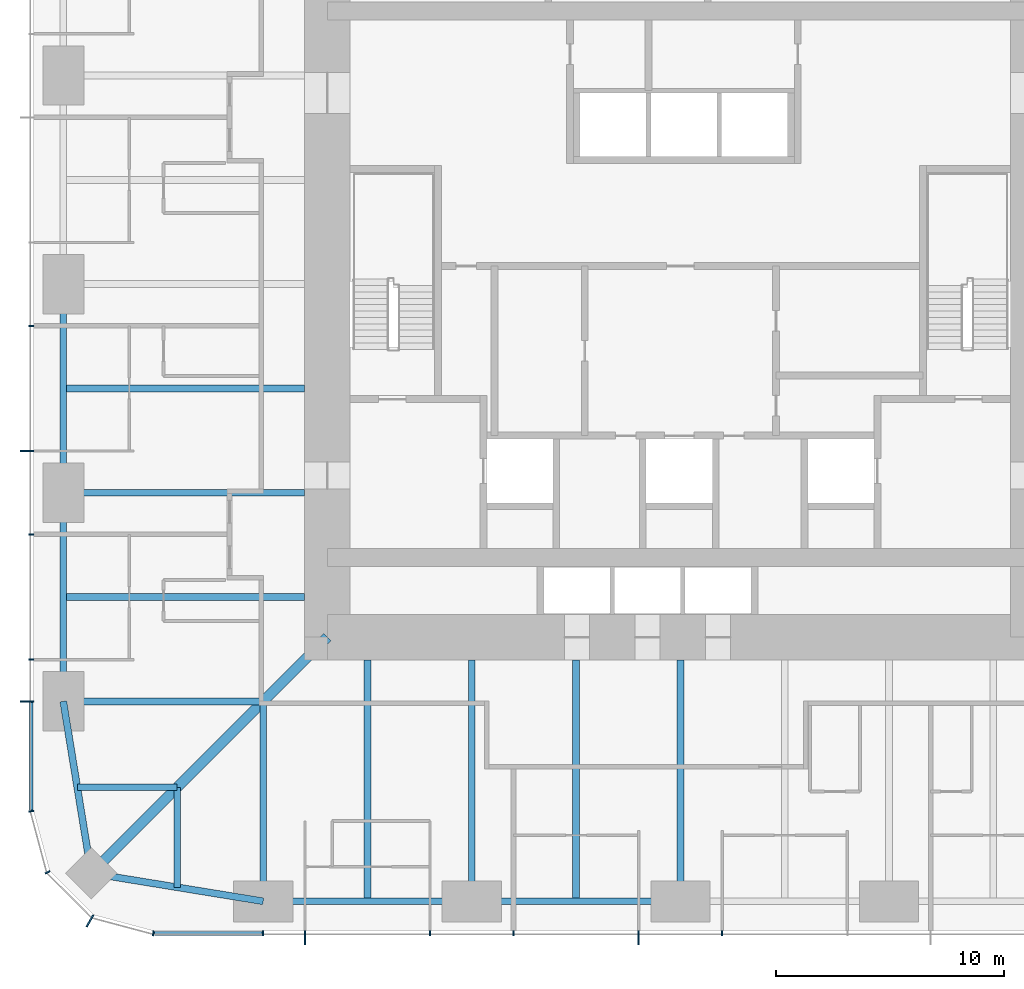
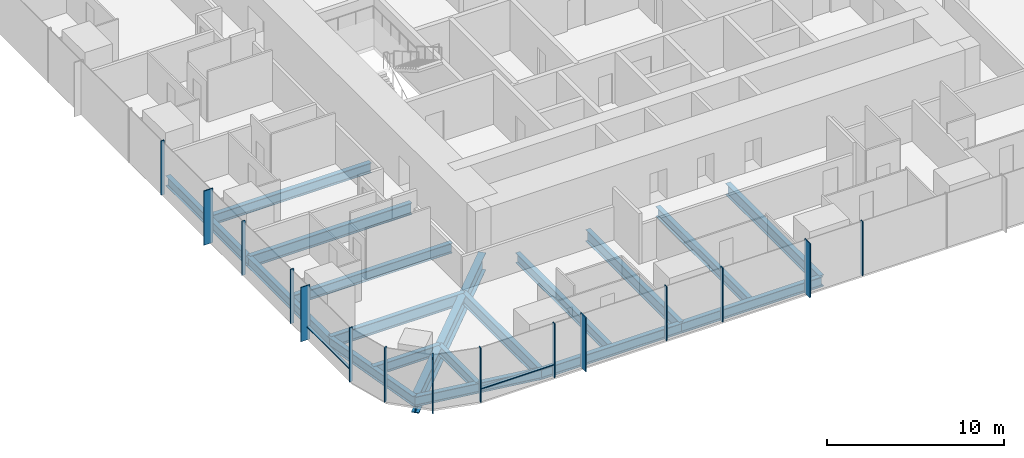
# One storey, part 2 of 13: 18 beams, 17 members, 3 elements without a shape of their own.
"""IFC4 building model written with IfcOpenShell, lengths in metres."""

import ifcopenshell
import ifcopenshell.guid

model = None  # the IFC model being written
_history = None  # IfcOwnerHistory: only IFC2X3 demands one
_inside = {}  # id of a spatial element -> (the spatial element, [elements in it])
_under = {}  # id of a project, library or spatial element -> (it, [spatial elements below it])
_declared = {}  # id of a project -> (the project, [libraries it declares])
_typed = {}  # id of a type object -> (the type object, [elements of that type])
_made_of = {}  # id of a material, layer set ... -> (it, [elements and type objects made of it])


def new_model(schema):
    """Start an empty IFC model of exactly this schema.

    Asked for "IFC4X3", IfcOpenShell would pick the latest addendum, in which some entities
    have other attributes; the version numbers below select the first issue.
    IFC2X3 requires an IfcOwnerHistory on every rooted entity: one is made here for all.
    """
    global model, _history
    if schema == "IFC4X3":
        model = ifcopenshell.file(schema_version=(4, 3, 0, 0))
    else:
        model = ifcopenshell.file(schema=schema)
    _inside.clear()
    _under.clear()
    _declared.clear()
    _typed.clear()
    _made_of.clear()
    _history = None
    if model.schema == "IFC2X3":
        org = make("IfcOrganization", Name="unknown")
        user = make(
            "IfcPersonAndOrganization",
            ThePerson=make("IfcPerson", FamilyName="unknown"),
            TheOrganization=org,
        )
        app = make(
            "IfcApplication",
            ApplicationDeveloper=org,
            Version="unknown",
            ApplicationFullName="unknown",
            ApplicationIdentifier="unknown",
        )
        _history = make(
            "IfcOwnerHistory",
            OwningUser=user,
            OwningApplication=app,
            ChangeAction="ADDED",
            CreationDate=0,
        )
    return model


def make(cls, **values):
    """One entity of the class cls with the attributes given. An attribute that is None is left unset."""
    return model.create_entity(
        cls, **{name: value for name, value in values.items() if value is not None}
    )


def rooted(cls, **values):
    """An entity with a GlobalId (a new one), such as an element, a storey or a relation."""
    return make(cls, GlobalId=ifcopenshell.guid.new(), OwnerHistory=_history, **values)


def si_unit(unit_type, name, prefix=None):
    """IfcSIUnit, for example si_unit("LENGTHUNIT", "METRE", prefix="MILLI")."""
    return make("IfcSIUnit", UnitType=unit_type, Prefix=prefix, Name=name)


def assignment(units):
    """IfcUnitAssignment: the units of a project."""
    return None if units is None else make("IfcUnitAssignment", Units=units)


def point(xyz):
    """IfcCartesianPoint."""
    return None if xyz is None else make("IfcCartesianPoint", Coordinates=xyz)


def direction(xyz):
    """IfcDirection."""
    return None if xyz is None else make("IfcDirection", DirectionRatios=xyz)


def frame(location, z_axis=None, x_axis=None):
    """IfcAxis2Placement3D, a coordinate frame: its origin and axes. An axis left out is left unset."""
    return make(
        "IfcAxis2Placement3D",
        Location=point(location),
        Axis=direction(z_axis),
        RefDirection=direction(x_axis),
    )


def frame_2d(location, x_axis=None):
    """IfcAxis2Placement2D, a coordinate frame in the plane: its origin and x axis."""
    return make(
        "IfcAxis2Placement2D", Location=point(location), RefDirection=direction(x_axis)
    )


def origin():
    """The frame at (0, 0, 0) with its axes left unset."""
    return frame((0.0, 0.0, 0.0))


def origin_2d():
    """The frame at (0, 0) in the plane with its x axis left unset."""
    return frame_2d((0.0, 0.0))


def place(relative_to, where):
    """IfcLocalPlacement: puts the frame where relative to a parent placement (None: the world)."""
    return make(
        "IfcLocalPlacement", PlacementRelTo=relative_to, RelativePlacement=where
    )


def context(
    kind, dimensions, precision=None, world=None, true_north=None, identifier=None
):
    """IfcGeometricRepresentationContext, for example the 3D "Model" context."""
    return make(
        "IfcGeometricRepresentationContext",
        ContextIdentifier=identifier,
        ContextType=kind,
        CoordinateSpaceDimension=dimensions,
        Precision=precision,
        WorldCoordinateSystem=world,
        TrueNorth=true_north,
    )


def subcontext(parent, identifier, kind, view, scale=None):
    """IfcGeometricRepresentationSubContext, for example "Body" below "Model"."""
    return make(
        "IfcGeometricRepresentationSubContext",
        ContextIdentifier=identifier,
        ContextType=kind,
        ParentContext=parent,
        TargetScale=scale,
        TargetView=view,
    )


def project(units=None, contexts=None):
    """IfcProject with its units and contexts."""
    return rooted(
        "IfcProject",
        Name="project",
        RepresentationContexts=contexts,
        UnitsInContext=assignment(units),
    )


def spatial(cls, under=None, at=None, **own):
    """A site, building, storey or space (cls), placed at a placement, below another one or the project."""
    s = rooted(cls, ObjectPlacement=at, **own)
    if under is not None:
        _under.setdefault(under.id(), (under, []))[1].append(s)
    return s


def profile(cls, at=None, kind="AREA", **sizes):
    """A parametric profile (cls). Its sizes go by their IFC names, for example OverallWidth=200.0."""
    return make(cls, ProfileType=kind, Position=at, **sizes)


def rectangle(**sizes):
    """IfcRectangleProfileDef."""
    return profile("IfcRectangleProfileDef", **sizes)


def i_section(**sizes):
    """IfcIShapeProfileDef."""
    return profile("IfcIShapeProfileDef", **sizes)


def extrude(swept, where, along, depth):
    """IfcExtrudedAreaSolid: the profile swept, set in the frame where, extruded along a direction by depth."""
    return make(
        "IfcExtrudedAreaSolid",
        SweptArea=swept,
        Position=where,
        ExtrudedDirection=direction(along),
        Depth=depth,
    )


def shape(context_of_items, identifier, shape_type, items):
    """IfcShapeRepresentation: the items that make up one representation, for example the "Body"."""
    return make(
        "IfcShapeRepresentation",
        ContextOfItems=context_of_items,
        RepresentationIdentifier=identifier,
        RepresentationType=shape_type,
        Items=items,
    )


def material(Name=None, Category=None):
    """IfcMaterial."""
    return make("IfcMaterial", Name=Name, Category=Category)


def material_profile(
    of_material, cross_section, Name=None, Category=None, Priority=None
):
    """IfcMaterialProfile: a cross section and its material."""
    return make(
        "IfcMaterialProfile",
        Name=Name,
        Material=of_material,
        Profile=cross_section,
        Priority=Priority,
        Category=Category,
    )


def profile_set(profiles, Name=None, composite=None):
    """IfcMaterialProfileSet."""
    return make(
        "IfcMaterialProfileSet",
        Name=Name,
        MaterialProfiles=profiles,
        CompositeProfile=composite,
    )


def made_of(thing, what):
    """Note that an element or type object is made of a material, layer set ...; save() writes the relation."""
    if what is not None:
        _made_of.setdefault(what.id(), (what, []))[1].append(thing)
    return thing


def type_object(cls, material=None, **own):
    """A type object (cls), such as IfcWallType, which elements share."""
    return made_of(rooted(cls, **own), material)


def element(
    cls,
    number,
    at=None,
    inside=None,
    cuts=None,
    type_object=None,
    material=None,
    context=None,
    identifier="Body",
    shape_type=None,
    held_by="IfcProductDefinitionShape",
    body=None,
    shapes=None,
    **own,
):
    """One element of the class cls, such as IfcWall. Its Tag is "e" and its number.

    at: its placement. inside: the storey or other place that contains it. cuts: it is an
    opening in that element (IfcRelVoidsElement). A single representation is given by context,
    identifier, shape_type and body (its items); several are given by shapes. held_by: the class
    of the entity that holds the representations. save() writes the other relations.
    """
    e = rooted(cls, Tag="e%d" % number, ObjectPlacement=at, **own)
    if body is not None:
        shapes = [shape(context, identifier, shape_type, body)]
    if shapes is not None:
        e.Representation = make(held_by, Representations=shapes)
    if inside is not None:
        _inside.setdefault(inside.id(), (inside, []))[1].append(e)
    if cuts is not None:
        rooted(
            "IfcRelVoidsElement", RelatingBuildingElement=cuts, RelatedOpeningElement=e
        )
    if type_object is not None:
        _typed.setdefault(type_object.id(), (type_object, []))[1].append(e)
    return made_of(e, material)


def aggregate(whole, parts):
    """IfcRelAggregates: a whole, such as a stair, and the parts it consists of."""
    return rooted("IfcRelAggregates", RelatingObject=whole, RelatedObjects=parts)


def save(model, path):
    """Write the relations noted so far, then the file.

    IfcRelAggregates (storeys below a building ...), IfcRelContainedInSpatialStructure (elements
    in a storey), IfcRelDefinesByType, IfcRelAssociatesMaterial and IfcRelDeclares: one each for
    every whole, place, type object, material and project.
    """
    for whole, parts in _under.values():
        aggregate(whole, parts)
    for where, things in _inside.values():
        rooted(
            "IfcRelContainedInSpatialStructure",
            RelatedElements=things,
            RelatingStructure=where,
        )
    for kind, things in _typed.values():
        rooted("IfcRelDefinesByType", RelatedObjects=things, RelatingType=kind)
    for what, things in _made_of.values():
        rooted("IfcRelAssociatesMaterial", RelatedObjects=things, RelatingMaterial=what)
    for by, libraries in _declared.values():
        rooted("IfcRelDeclares", RelatingContext=by, RelatedDefinitions=libraries)
    model.write(path)


model = new_model("IFC4")

# Units and contexts
model_context = context("Model", 3, precision=1e-05, world=origin(), true_north=direction((0.0, 1.0)))
body_context = subcontext(model_context, "Body", "Model", "MODEL_VIEW")
ifc_project = project(units=[si_unit("LENGTHUNIT", "METRE"), si_unit("AREAUNIT", "SQUARE_METRE"), si_unit("VOLUMEUNIT", "CUBIC_METRE"), si_unit("PLANEANGLEUNIT", "RADIAN"), si_unit("MASSUNIT", "GRAM", prefix="KILO")], contexts=[model_context])

# Site, building, storey
site_placement = place(None, origin())
site = spatial("IfcSite", under=ifc_project, at=site_placement, CompositionType="ELEMENT")
building_placement = place(site_placement, origin())
building = spatial("IfcBuilding", under=site, at=building_placement, Name="Khuree Lantern Residences", CompositionType="ELEMENT")
storey_placement = place(building_placement, frame((0.0, 0.0, 159.75)))
storey = spatial("IfcBuildingStorey", under=building, at=storey_placement, Name="L40", CompositionType="ELEMENT", Elevation=159.75)

# Beams
ifc_material_1 = material(Name="Steel S355", Category="steel")
ifc_material_profile_1 = material_profile(ifc_material_1, i_section(OverallWidth=0.300048828125, OverallDepth=0.68994140625, WebThickness=0.014404296875, FlangeThickness=0.027099609375, FilletRadius=0.027099609375, at=origin_2d()), Name="HE 700 A")
ifc_profile_set_1 = profile_set([ifc_material_profile_1], Name="Steel S355")
beam_type_1 = type_object("IfcBeamType", Name="B-24 SECONDARY BEAM HE 700 A", PredefinedType="BEAM", material=ifc_profile_set_1)
for number, where, z_axis, x_axis, name in (
    (1, (-4.580078125, -27.10009765625, -0.594970703125), (0.0, 1.0, 0.0), (-1.0, 0.0, 0.0), "Secondary beam S4"),
    (2, (-13.739990234375, -27.10009765625, -0.594970703125), (0.0, 1.0, 0.0), (-1.0, 0.0, 0.0), "Secondary beam S5"),
):
    element("IfcBeam", number, at=place(storey_placement, frame(where, z_axis=z_axis, x_axis=x_axis)), inside=storey, type_object=beam_type_1, Name=name, PredefinedType="BEAM", context=body_context, shape_type="SweptSolid", body=[
        extrude(i_section(OverallWidth=0.300048828125, OverallDepth=0.68994140625, WebThickness=0.014404296875, FlangeThickness=0.027099609375, FilletRadius=0.027099609375, at=origin_2d()), origin(), (0.0, 0.0, 1.0), 10.60009765625),
    ])
for number, where, z_axis, x_axis, name in (
    (3, (-22.094970703125, -26.48486328125, -0.594970703125), (0.0, 1.0, 0.0), (-1.0, 0.0, 0.0), "Secondary beam S6"),
    (4, (-26.48486328125, -22.094970703125, -0.594970703125), (1.0, 0.0, 0.0), (0.0, 1.0, 0.0), "Secondary beam W1"),
):
    element("IfcBeam", number, at=place(storey_placement, frame(where, z_axis=z_axis, x_axis=x_axis)), inside=storey, type_object=beam_type_1, Name=name, PredefinedType="BEAM", context=body_context, shape_type="SweptSolid", body=[
        extrude(i_section(OverallWidth=0.300048828125, OverallDepth=0.68994140625, WebThickness=0.014404296875, FlangeThickness=0.027099609375, FilletRadius=0.027099609375, at=origin_2d()), origin(), (0.0, 0.0, 1.0), 4.389892578125),
    ])
for number, where, z_axis, x_axis, name in (
    (5, (-27.10009765625, -13.739990234375, -0.594970703125), (1.0, 0.0, 0.0), (0.0, 1.0, 0.0), "Secondary beam W2"),
    (6, (-27.10009765625, -4.580078125, -0.594970703125), (1.0, 0.0, 0.0), (0.0, 1.0, 0.0), "Secondary beam W3"),
):
    element("IfcBeam", number, at=place(storey_placement, frame(where, z_axis=z_axis, x_axis=x_axis)), inside=storey, type_object=beam_type_1, Name=name, PredefinedType="BEAM", context=body_context, shape_type="SweptSolid", body=[
        extrude(i_section(OverallWidth=0.300048828125, OverallDepth=0.68994140625, WebThickness=0.014404296875, FlangeThickness=0.027099609375, FilletRadius=0.027099609375, at=origin_2d()), origin(), (0.0, 0.0, 1.0), 10.60009765625),
    ])
ifc_material_profile_2 = material_profile(ifc_material_1, i_section(OverallWidth=0.300048828125, OverallDepth=0.68994140625, WebThickness=0.014404296875, FlangeThickness=0.027099609375, FilletRadius=0.027099609375, at=origin_2d()), Name="HE 700 A")
ifc_profile_set_2 = profile_set([ifc_material_profile_2], Name="Steel S355")
beam_type_2 = type_object("IfcBeamType", Name="E-24 SPANDREL BEAM HE 700 A", PredefinedType="SPANDREL", material=ifc_profile_set_2)
beam_1_placement = place(storey_placement, frame((0.0, -27.10009765625, -0.594970703125), z_axis=(-1.0, 0.0, 0.0), x_axis=(0.0, -1.0, 0.0)))
element("IfcBeam", 7, at=beam_1_placement, inside=storey, type_object=beam_type_2, Name="Spandrel beam S4", PredefinedType="SPANDREL", context=body_context, shape_type="SweptSolid", body=[
    extrude(i_section(OverallWidth=0.300048828125, OverallDepth=0.68994140625, WebThickness=0.014404296875, FlangeThickness=0.027099609375, FilletRadius=0.027099609375, at=origin_2d()), origin(), (0.0, 0.0, 1.0), 9.159912109375),
])
beam_2_placement = place(storey_placement, frame((-9.159912109375, -27.10009765625, -0.594970703125), z_axis=(-1.0, 0.0, 0.0), x_axis=(0.0, -1.0, 0.0)))
element("IfcBeam", 8, at=beam_2_placement, inside=storey, type_object=beam_type_2, Name="Spandrel beam S5", PredefinedType="SPANDREL", context=body_context, shape_type="SweptSolid", body=[
    extrude(i_section(OverallWidth=0.300048828125, OverallDepth=0.68994140625, WebThickness=0.014404296875, FlangeThickness=0.027099609375, FilletRadius=0.027099609375, at=origin_2d()), origin(), (0.0, 0.0, 1.0), 9.16015625),
])
for number, where, z_axis, x_axis, name in (
    (9, (-18.320068359375, -27.10009765625, -0.594970703125), (-0.986982656839, 0.160826723833, 0.0), (-0.160826723833, -0.986982656839, 0.0), "Spandrel beam S6"),
    (10, (-25.869873046875, -25.869873046875, -0.594970703125), (-0.160826723833, 0.986982656839, 0.0), (-0.986982656839, -0.160826723833, 0.0), "Spandrel beam W1"),
):
    element("IfcBeam", number, at=place(storey_placement, frame(where, z_axis=z_axis, x_axis=x_axis)), inside=storey, type_object=beam_type_2, Name=name, PredefinedType="SPANDREL", context=body_context, shape_type="SweptSolid", body=[
        extrude(i_section(OverallWidth=0.300048828125, OverallDepth=0.68994140625, WebThickness=0.014404296875, FlangeThickness=0.027099609375, FilletRadius=0.027099609375, at=origin_2d()), origin(), (0.0, 0.0, 1.0), 7.6494140625),
    ])
beam_3_placement = place(storey_placement, frame((-27.10009765625, -18.320068359375, -0.594970703125), z_axis=(0.0, 1.0, 0.0), x_axis=(-1.0, 0.0, 0.0)))
element("IfcBeam", 11, at=beam_3_placement, inside=storey, type_object=beam_type_2, Name="Spandrel beam W2", PredefinedType="SPANDREL", context=body_context, shape_type="SweptSolid", body=[
    extrude(i_section(OverallWidth=0.300048828125, OverallDepth=0.68994140625, WebThickness=0.014404296875, FlangeThickness=0.027099609375, FilletRadius=0.027099609375, at=origin_2d()), origin(), (0.0, 0.0, 1.0), 9.16015625),
])
beam_4_placement = place(storey_placement, frame((-27.10009765625, -9.159912109375, -0.594970703125), z_axis=(0.0, 1.0, 0.0), x_axis=(-1.0, 0.0, 0.0)))
element("IfcBeam", 12, at=beam_4_placement, inside=storey, type_object=beam_type_2, Name="Spandrel beam W3", PredefinedType="SPANDREL", context=body_context, shape_type="SweptSolid", body=[
    extrude(i_section(OverallWidth=0.300048828125, OverallDepth=0.68994140625, WebThickness=0.014404296875, FlangeThickness=0.027099609375, FilletRadius=0.027099609375, at=origin_2d()), origin(), (0.0, 0.0, 1.0), 9.159912109375),
])

# Curtain wall, members
ifc_material_2 = material(Name="Bronze anodised aluminium", Category="aluminium")
curtain_wall_type_1 = type_object("IfcCurtainWallType", Name="CW-T1 TOWER FACE CURTAIN WALL", PredefinedType="USERDEFINED", material=ifc_material_2)
curtain_wall_1_placement = place(storey_placement, origin())
curtain_wall_1 = element("IfcCurtainWall", 13, at=curtain_wall_1_placement, inside=storey, type_object=curtain_wall_type_1, Name="L40 WEST FACE CURTAIN WALL", ObjectType="Stick-built curtain wall", PredefinedType="USERDEFINED")
ifc_material_profile_3 = material_profile(ifc_material_2, rectangle(XDim=0.06494140625, YDim=0.60009765625, at=origin_2d()), Name="F1 65X600")
ifc_profile_set_3 = profile_set([ifc_material_profile_3], Name="Bronze anodised aluminium")
member_type_1 = type_object("IfcMemberType", Name="F1 BRONZE FIN MULLION TOWER 65X600", PredefinedType="MULLION", material=ifc_profile_set_3)
member_1_placement = place(storey_placement, frame((-28.699951171875, -7.327880859375, 0.0), z_axis=(0.0, 0.0, 1.0), x_axis=(0.0, -1.0, 0.0)))
member_1 = element("IfcMember", 14, at=member_1_placement, type_object=member_type_1, Name="L40 WEST FACE FIN MULLION 39", PredefinedType="MULLION", context=body_context, shape_type="SweptSolid", body=[
    extrude(rectangle(XDim=0.06494140625, YDim=0.60009765625, at=origin_2d()), origin(), (0.0, 0.0, 1.0), 3.75),
])
member_2_placement = place(storey_placement, frame((-28.699951171875, -18.320068359375, 0.0), z_axis=(0.0, 0.0, 1.0), x_axis=(0.0, -1.0, 0.0)))
member_2 = element("IfcMember", 15, at=member_2_placement, type_object=member_type_1, Name="L40 WEST FACE FIN MULLION 42", PredefinedType="MULLION", context=body_context, shape_type="SweptSolid", body=[
    extrude(rectangle(XDim=0.06494140625, YDim=0.60009765625, at=origin_2d()), origin(), (0.0, 0.0, 1.0), 3.75),
])

# Curtain wall, member
curtain_wall_type_2 = type_object("IfcCurtainWallType", Name="CW-T2 TOWER CORNER CURTAIN WALL", PredefinedType="USERDEFINED", material=ifc_material_2)
curtain_wall_2_placement = place(storey_placement, origin())
curtain_wall_2 = element("IfcCurtainWall", 16, at=curtain_wall_2_placement, inside=storey, type_object=curtain_wall_type_2, Name="L40 SOUTH-WEST CORNER CURTAIN WALL", ObjectType="Faceted corner curtain wall", PredefinedType="USERDEFINED")
member_3_placement = place(storey_placement, frame((-25.925048828125, -27.95654296875, 0.0), z_axis=(0.0, 0.0, 1.0), x_axis=(0.866025388199, -0.500000026995, 0.0)))
member_3 = element("IfcMember", 17, at=member_3_placement, type_object=member_type_1, Name="L40 SOUTH-WEST CORNER FIN MULLION 45", PredefinedType="MULLION", context=body_context, shape_type="SweptSolid", body=[
    extrude(rectangle(XDim=0.06494140625, YDim=0.60009765625, at=origin_2d()), origin(), (0.0, 0.0, 1.0), 3.75),
])

# Curtain wall, members
curtain_wall_3_placement = place(storey_placement, origin())
curtain_wall_3 = element("IfcCurtainWall", 18, at=curtain_wall_3_placement, inside=storey, type_object=curtain_wall_type_1, Name="L40 SOUTH FACE CURTAIN WALL", ObjectType="Stick-built curtain wall", PredefinedType="USERDEFINED")
member_4_placement = place(storey_placement, frame((-16.488037109375, -28.699951171875, 0.0), z_axis=(0.0, 0.0, 1.0), x_axis=(1.0, 0.0, 0.0)))
member_4 = element("IfcMember", 19, at=member_4_placement, type_object=member_type_1, Name="L40 SOUTH FACE FIN MULLION 48", PredefinedType="MULLION", context=body_context, shape_type="SweptSolid", body=[
    extrude(rectangle(XDim=0.06494140625, YDim=0.60009765625, at=origin_2d()), origin(), (0.0, 0.0, 1.0), 3.75),
])
member_5_placement = place(storey_placement, frame((-1.83203125, -28.699951171875, 0.0), z_axis=(0.0, 0.0, 1.0), x_axis=(1.0, 0.0, 0.0)))
member_5 = element("IfcMember", 20, at=member_5_placement, type_object=member_type_1, Name="L40 SOUTH FACE FIN MULLION 51", PredefinedType="MULLION", context=body_context, shape_type="SweptSolid", body=[
    extrude(rectangle(XDim=0.06494140625, YDim=0.60009765625, at=origin_2d()), origin(), (0.0, 0.0, 1.0), 3.75),
])

# Beams
ifc_material_profile_4 = material_profile(ifc_material_1, i_section(OverallWidth=0.300048828125, OverallDepth=0.800048828125, WebThickness=0.017578125, FlangeThickness=0.032958984375, FilletRadius=0.030029296875, at=origin_2d()), Name="HE 800 B")
ifc_profile_set_4 = profile_set([ifc_material_profile_4], Name="Steel S355")
beam_type_3 = type_object("IfcBeamType", Name="G-24 GIRDER HE 800 B", PredefinedType="BEAM", material=ifc_profile_set_4)
for number, where, z_axis, x_axis, name in (
    (21, (0.0, -27.10009765625, -0.64990234375), (0.0, 1.0, 0.0), (-1.0, 0.0, 0.0), "Girder S3"),
    (22, (-9.159912109375, -27.10009765625, -0.64990234375), (0.0, 1.0, 0.0), (-1.0, 0.0, 0.0), "Girder S4"),
):
    element("IfcBeam", number, at=place(storey_placement, frame(where, z_axis=z_axis, x_axis=x_axis)), inside=storey, type_object=beam_type_3, Name=name, PredefinedType="BEAM", context=body_context, shape_type="SweptSolid", body=[
        extrude(i_section(OverallWidth=0.300048828125, OverallDepth=0.800048828125, WebThickness=0.017578125, FlangeThickness=0.032958984375, FilletRadius=0.030029296875, at=origin_2d()), origin(), (0.0, 0.0, 1.0), 10.60009765625),
    ])
for number, where, z_axis, x_axis, name in (
    (23, (-18.320068359375, -27.10009765625, -0.64990234375), (0.0, 1.0, 0.0), (-1.0, 0.0, 0.0), "Girder S5"),
    (24, (-27.10009765625, -18.320068359375, -0.64990234375), (1.0, 0.0, 0.0), (0.0, 1.0, 0.0), "Girder W1"),
):
    element("IfcBeam", number, at=place(storey_placement, frame(where, z_axis=z_axis, x_axis=x_axis)), inside=storey, type_object=beam_type_3, Name=name, PredefinedType="BEAM", context=body_context, shape_type="SweptSolid", body=[
        extrude(i_section(OverallWidth=0.300048828125, OverallDepth=0.800048828125, WebThickness=0.017578125, FlangeThickness=0.032958984375, FilletRadius=0.030029296875, at=origin_2d()), origin(), (0.0, 0.0, 1.0), 8.780029296875),
    ])
beam_5_placement = place(storey_placement, frame((-27.10009765625, -9.159912109375, -0.64990234375), z_axis=(1.0, 0.0, 0.0), x_axis=(0.0, 1.0, 0.0)))
element("IfcBeam", 25, at=beam_5_placement, inside=storey, type_object=beam_type_3, Name="Girder W2", PredefinedType="BEAM", context=body_context, shape_type="SweptSolid", body=[
    extrude(i_section(OverallWidth=0.300048828125, OverallDepth=0.800048828125, WebThickness=0.017578125, FlangeThickness=0.032958984375, FilletRadius=0.030029296875, at=origin_2d()), origin(), (0.0, 0.0, 1.0), 10.60009765625),
])
ifc_material_profile_5 = material_profile(ifc_material_1, i_section(OverallWidth=0.449951171875, OverallDepth=1.199951171875, WebThickness=0.02490234375, FlangeThickness=0.044921875, at=origin_2d()), Name="WELDED I 1200X450X25X45")
ifc_profile_set_5 = profile_set([ifc_material_profile_5], Name="Steel S355")
beam_type_4 = type_object("IfcBeamType", Name="GD-24 CORNER GIRDER WELDED I 1200X450X25X45", PredefinedType="BEAM", material=ifc_profile_set_5)
beam_6_placement = place(storey_placement, frame((-25.869873046875, -25.869873046875, -0.85009765625), z_axis=(0.707106781187, 0.707106781187, 0.0), x_axis=(-0.707106781187, 0.707106781187, 0.0)))
element("IfcBeam", 26, at=beam_6_placement, inside=storey, type_object=beam_type_4, Name="Corner girder SW", PredefinedType="BEAM", context=body_context, shape_type="SweptSolid", body=[
    extrude(i_section(OverallWidth=0.449951171875, OverallDepth=1.199951171875, WebThickness=0.02490234375, FlangeThickness=0.044921875, at=origin_2d()), origin(), (0.0, 0.0, 1.0), 14.665283203125),
])

# Member
ifc_material_profile_6 = material_profile(ifc_material_2, rectangle(XDim=0.06494140625, YDim=0.219970703125, at=origin_2d()), Name="M1 65X220")
ifc_profile_set_6 = profile_set([ifc_material_profile_6], Name="Bronze anodised aluminium")
member_type_2 = type_object("IfcMemberType", Name="M1 BRONZE MULLION TOWER 65X220", PredefinedType="MULLION", material=ifc_profile_set_6)
member_6_placement = place(storey_placement, frame((-28.510009765625, -1.83203125, 0.0), z_axis=(0.0, 0.0, 1.0), x_axis=(0.0, -1.0, 0.0)))
member_6 = element("IfcMember", 27, at=member_6_placement, type_object=member_type_2, Name="L40 WEST FACE MULLION 38", PredefinedType="MULLION", context=body_context, shape_type="SweptSolid", body=[
    extrude(rectangle(XDim=0.06494140625, YDim=0.219970703125, at=origin_2d()), origin(), (0.0, 0.0, 1.0), 3.75),
])

member_7_placement = place(storey_placement, frame((-28.510009765625, -10.991943359375, 0.0), z_axis=(0.0, 0.0, 1.0), x_axis=(0.0, -1.0, 0.0)))
member_7 = element("IfcMember", 28, at=member_7_placement, type_object=member_type_2, Name="L40 WEST FACE MULLION 40", PredefinedType="MULLION", context=body_context, shape_type="SweptSolid", body=[
    extrude(rectangle(XDim=0.06494140625, YDim=0.219970703125, at=origin_2d()), origin(), (0.0, 0.0, 1.0), 3.75),
])

member_8_placement = place(storey_placement, frame((-28.510009765625, -16.488037109375, 0.0), z_axis=(0.0, 0.0, 1.0), x_axis=(0.0, -1.0, 0.0)))
member_8 = element("IfcMember", 29, at=member_8_placement, type_object=member_type_2, Name="L40 WEST FACE MULLION 41", PredefinedType="MULLION", context=body_context, shape_type="SweptSolid", body=[
    extrude(rectangle(XDim=0.06494140625, YDim=0.219970703125, at=origin_2d()), origin(), (0.0, 0.0, 1.0), 3.75),
])

member_9_placement = place(storey_placement, frame((-28.51171875, -23.14501953125, 0.0), z_axis=(0.0, 0.0, 1.0), x_axis=(0.130526223125, -0.991444857305, 0.0)))
member_9 = element("IfcMember", 30, at=member_9_placement, type_object=member_type_2, Name="L40 SOUTH-WEST CORNER MULLION 43", PredefinedType="MULLION", context=body_context, shape_type="SweptSolid", body=[
    extrude(rectangle(XDim=0.06494140625, YDim=0.219970703125, at=origin_2d()), origin(), (0.0, 0.0, 1.0), 3.75),
])

member_10_placement = place(storey_placement, frame((-27.7919921875, -25.830078125, 0.0), z_axis=(0.0, 0.0, 1.0), x_axis=(0.500000026995, -0.866025388199, 0.0)))
member_10 = element("IfcMember", 31, at=member_10_placement, type_object=member_type_2, Name="L40 SOUTH-WEST CORNER MULLION 44", PredefinedType="MULLION", context=body_context, shape_type="SweptSolid", body=[
    extrude(rectangle(XDim=0.06494140625, YDim=0.219970703125, at=origin_2d()), origin(), (0.0, 0.0, 1.0), 3.75),
])

aggregate(curtain_wall_2, [member_9, member_10, member_3])

member_11_placement = place(storey_placement, frame((-23.14501953125, -28.51171875, 0.0), z_axis=(0.0, 0.0, 1.0), x_axis=(0.991444857305, -0.130526223125, 0.0)))
member_11 = element("IfcMember", 32, at=member_11_placement, type_object=member_type_2, Name="L40 SOUTH FACE MULLION 46", PredefinedType="MULLION", context=body_context, shape_type="SweptSolid", body=[
    extrude(rectangle(XDim=0.06494140625, YDim=0.219970703125, at=origin_2d()), origin(), (0.0, 0.0, 1.0), 3.75),
])

member_12_placement = place(storey_placement, frame((-18.320068359375, -28.510009765625, 0.0), z_axis=(0.0, 0.0, 1.0), x_axis=(1.0, 0.0, 0.0)))
member_12 = element("IfcMember", 33, at=member_12_placement, type_object=member_type_2, Name="L40 SOUTH FACE MULLION 47", PredefinedType="MULLION", context=body_context, shape_type="SweptSolid", body=[
    extrude(rectangle(XDim=0.06494140625, YDim=0.219970703125, at=origin_2d()), origin(), (0.0, 0.0, 1.0), 3.75),
])

member_13_placement = place(storey_placement, frame((-10.991943359375, -28.510009765625, 0.0), z_axis=(0.0, 0.0, 1.0), x_axis=(1.0, 0.0, 0.0)))
member_13 = element("IfcMember", 34, at=member_13_placement, type_object=member_type_2, Name="L40 SOUTH FACE MULLION 49", PredefinedType="MULLION", context=body_context, shape_type="SweptSolid", body=[
    extrude(rectangle(XDim=0.06494140625, YDim=0.219970703125, at=origin_2d()), origin(), (0.0, 0.0, 1.0), 3.75),
])

member_14_placement = place(storey_placement, frame((-7.327880859375, -28.510009765625, 0.0), z_axis=(0.0, 0.0, 1.0), x_axis=(1.0, 0.0, 0.0)))
member_14 = element("IfcMember", 35, at=member_14_placement, type_object=member_type_2, Name="L40 SOUTH FACE MULLION 50", PredefinedType="MULLION", context=body_context, shape_type="SweptSolid", body=[
    extrude(rectangle(XDim=0.06494140625, YDim=0.219970703125, at=origin_2d()), origin(), (0.0, 0.0, 1.0), 3.75),
])

member_15_placement = place(storey_placement, frame((1.83203125, -28.510009765625, 0.0), z_axis=(0.0, 0.0, 1.0), x_axis=(1.0, 0.0, 0.0)))
member_15 = element("IfcMember", 36, at=member_15_placement, type_object=member_type_2, Name="L40 SOUTH FACE MULLION 52", PredefinedType="MULLION", context=body_context, shape_type="SweptSolid", body=[
    extrude(rectangle(XDim=0.06494140625, YDim=0.219970703125, at=origin_2d()), origin(), (0.0, 0.0, 1.0), 3.75),
])

ifc_material_profile_7 = material_profile(ifc_material_2, rectangle(XDim=0.179931640625, YDim=0.06494140625, at=origin_2d()), Name="T1 180X65")
ifc_profile_set_7 = profile_set([ifc_material_profile_7], Name="Bronze anodised aluminium")
member_type_3 = type_object("IfcMemberType", Name="TRANSOM T1 TOWER 180X65", PredefinedType="USERDEFINED", material=ifc_profile_set_7)
member_16_placement = place(storey_placement, frame((-28.52001953125, -18.3525390625, 0.89990234375), z_axis=(0.0, -1.0, 0.0), x_axis=(1.0, 0.0, 0.0)))
member_16 = element("IfcMember", 37, at=member_16_placement, type_object=member_type_3, Name="L40 WEST FACE TRANSOM 42.1", ObjectType="Transom", PredefinedType="USERDEFINED", context=body_context, shape_type="SweptSolid", body=[
    extrude(rectangle(XDim=0.179931640625, YDim=0.06494140625, at=origin_2d()), origin(), (0.0, 0.0, 1.0), 4.748779296875),
])

aggregate(curtain_wall_1, [member_6, member_1, member_7, member_8, member_2, member_16])

member_17_placement = place(storey_placement, frame((-23.101318359375, -28.52001953125, 0.89990234375), z_axis=(1.0, 0.0, 0.0), x_axis=(0.0, 1.0, 0.0)))
member_17 = element("IfcMember", 38, at=member_17_placement, type_object=member_type_3, Name="L40 SOUTH FACE TRANSOM 46.1", ObjectType="Transom", PredefinedType="USERDEFINED", context=body_context, shape_type="SweptSolid", body=[
    extrude(rectangle(XDim=0.179931640625, YDim=0.06494140625, at=origin_2d()), origin(), (0.0, 0.0, 1.0), 4.748779296875),
])

aggregate(curtain_wall_3, [member_11, member_12, member_4, member_13, member_14, member_5, member_15, member_17])

save(model, "model.ifc")
